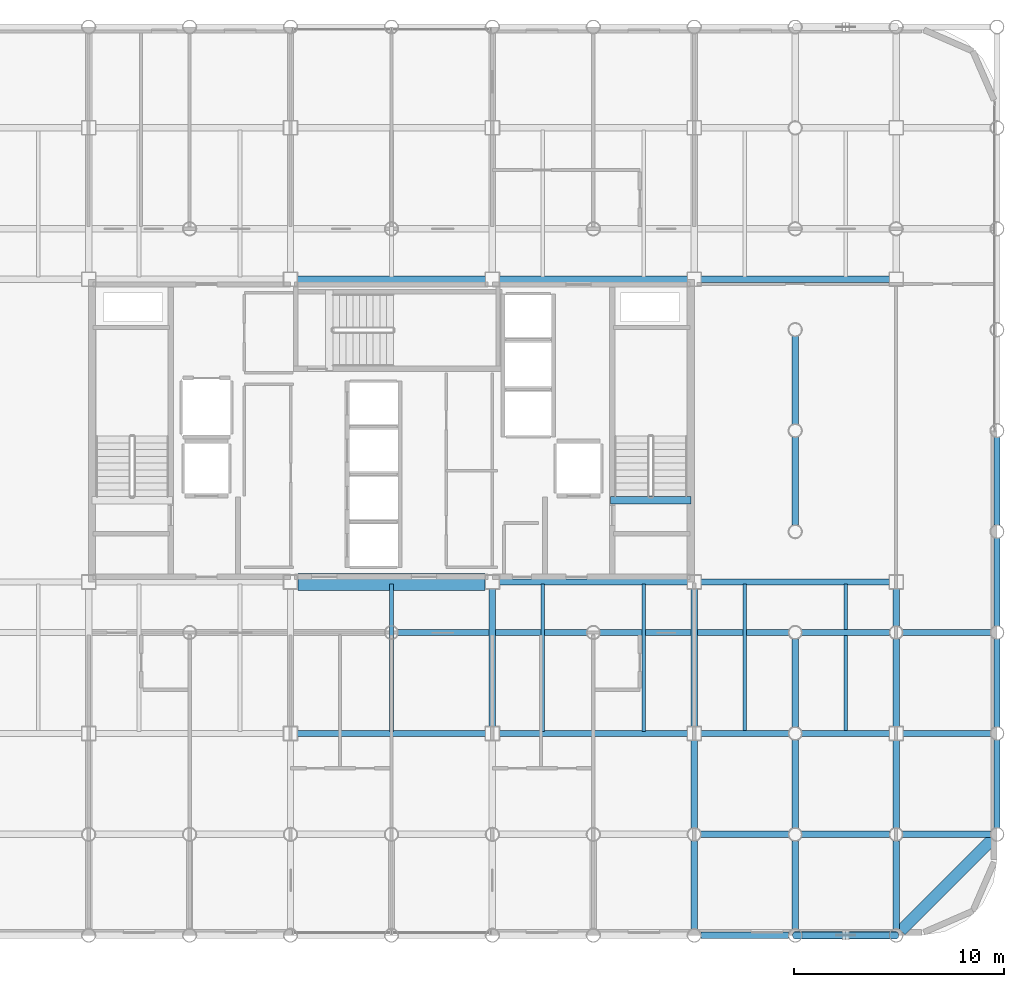
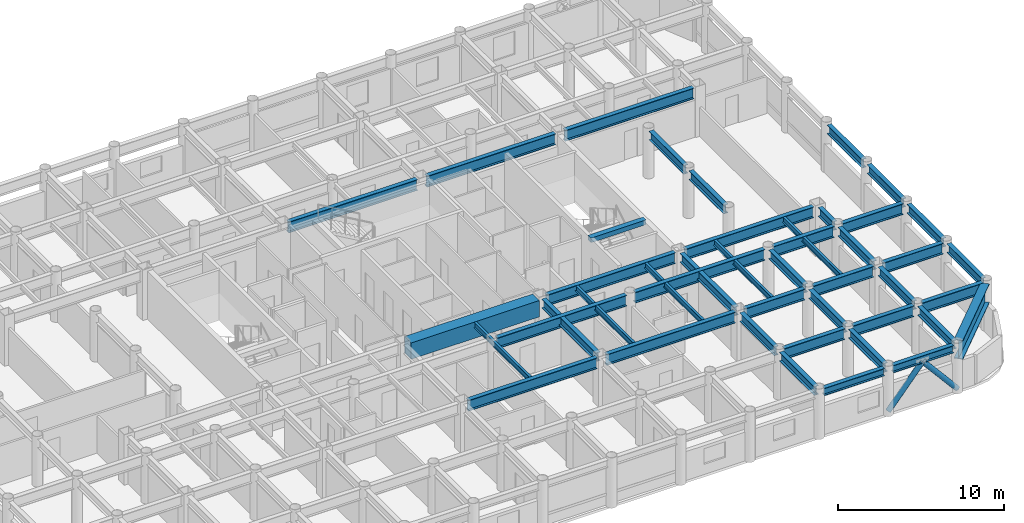
# One storey, part 7 of 20: 44 beams, 2 members.
"""IFC4 building model written with IfcOpenShell, lengths in metres."""

import ifcopenshell
import ifcopenshell.guid

model = None  # the IFC model being written
_history = None  # IfcOwnerHistory: only IFC2X3 demands one
_inside = {}  # id of a spatial element -> (the spatial element, [elements in it])
_under = {}  # id of a project, library or spatial element -> (it, [spatial elements below it])
_declared = {}  # id of a project -> (the project, [libraries it declares])
_typed = {}  # id of a type object -> (the type object, [elements of that type])
_made_of = {}  # id of a material, layer set ... -> (it, [elements and type objects made of it])


def new_model(schema):
    """Start an empty IFC model of exactly this schema.

    Asked for "IFC4X3", IfcOpenShell would pick the latest addendum, in which some entities
    have other attributes; the version numbers below select the first issue.
    IFC2X3 requires an IfcOwnerHistory on every rooted entity: one is made here for all.
    """
    global model, _history
    if schema == "IFC4X3":
        model = ifcopenshell.file(schema_version=(4, 3, 0, 0))
    else:
        model = ifcopenshell.file(schema=schema)
    _inside.clear()
    _under.clear()
    _declared.clear()
    _typed.clear()
    _made_of.clear()
    _history = None
    if model.schema == "IFC2X3":
        org = make("IfcOrganization", Name="unknown")
        user = make(
            "IfcPersonAndOrganization",
            ThePerson=make("IfcPerson", FamilyName="unknown"),
            TheOrganization=org,
        )
        app = make(
            "IfcApplication",
            ApplicationDeveloper=org,
            Version="unknown",
            ApplicationFullName="unknown",
            ApplicationIdentifier="unknown",
        )
        _history = make(
            "IfcOwnerHistory",
            OwningUser=user,
            OwningApplication=app,
            ChangeAction="ADDED",
            CreationDate=0,
        )
    return model


def make(cls, **values):
    """One entity of the class cls with the attributes given. An attribute that is None is left unset."""
    return model.create_entity(
        cls, **{name: value for name, value in values.items() if value is not None}
    )


def rooted(cls, **values):
    """An entity with a GlobalId (a new one), such as an element, a storey or a relation."""
    return make(cls, GlobalId=ifcopenshell.guid.new(), OwnerHistory=_history, **values)


def si_unit(unit_type, name, prefix=None):
    """IfcSIUnit, for example si_unit("LENGTHUNIT", "METRE", prefix="MILLI")."""
    return make("IfcSIUnit", UnitType=unit_type, Prefix=prefix, Name=name)


def assignment(units):
    """IfcUnitAssignment: the units of a project."""
    return None if units is None else make("IfcUnitAssignment", Units=units)


def point(xyz):
    """IfcCartesianPoint."""
    return None if xyz is None else make("IfcCartesianPoint", Coordinates=xyz)


def direction(xyz):
    """IfcDirection."""
    return None if xyz is None else make("IfcDirection", DirectionRatios=xyz)


def frame(location, z_axis=None, x_axis=None):
    """IfcAxis2Placement3D, a coordinate frame: its origin and axes. An axis left out is left unset."""
    return make(
        "IfcAxis2Placement3D",
        Location=point(location),
        Axis=direction(z_axis),
        RefDirection=direction(x_axis),
    )


def frame_2d(location, x_axis=None):
    """IfcAxis2Placement2D, a coordinate frame in the plane: its origin and x axis."""
    return make(
        "IfcAxis2Placement2D", Location=point(location), RefDirection=direction(x_axis)
    )


def origin():
    """The frame at (0, 0, 0) with its axes left unset."""
    return frame((0.0, 0.0, 0.0))


def origin_2d():
    """The frame at (0, 0) in the plane with its x axis left unset."""
    return frame_2d((0.0, 0.0))


def place(relative_to, where):
    """IfcLocalPlacement: puts the frame where relative to a parent placement (None: the world)."""
    return make(
        "IfcLocalPlacement", PlacementRelTo=relative_to, RelativePlacement=where
    )


def context(
    kind, dimensions, precision=None, world=None, true_north=None, identifier=None
):
    """IfcGeometricRepresentationContext, for example the 3D "Model" context."""
    return make(
        "IfcGeometricRepresentationContext",
        ContextIdentifier=identifier,
        ContextType=kind,
        CoordinateSpaceDimension=dimensions,
        Precision=precision,
        WorldCoordinateSystem=world,
        TrueNorth=true_north,
    )


def subcontext(parent, identifier, kind, view, scale=None):
    """IfcGeometricRepresentationSubContext, for example "Body" below "Model"."""
    return make(
        "IfcGeometricRepresentationSubContext",
        ContextIdentifier=identifier,
        ContextType=kind,
        ParentContext=parent,
        TargetScale=scale,
        TargetView=view,
    )


def project(units=None, contexts=None):
    """IfcProject with its units and contexts."""
    return rooted(
        "IfcProject",
        Name="project",
        RepresentationContexts=contexts,
        UnitsInContext=assignment(units),
    )


def spatial(cls, under=None, at=None, **own):
    """A site, building, storey or space (cls), placed at a placement, below another one or the project."""
    s = rooted(cls, ObjectPlacement=at, **own)
    if under is not None:
        _under.setdefault(under.id(), (under, []))[1].append(s)
    return s


def profile(cls, at=None, kind="AREA", **sizes):
    """A parametric profile (cls). Its sizes go by their IFC names, for example OverallWidth=200.0."""
    return make(cls, ProfileType=kind, Position=at, **sizes)


def rectangle(**sizes):
    """IfcRectangleProfileDef."""
    return profile("IfcRectangleProfileDef", **sizes)


def hollow_circle(**sizes):
    """IfcCircleHollowProfileDef."""
    return profile("IfcCircleHollowProfileDef", **sizes)


def i_section(**sizes):
    """IfcIShapeProfileDef."""
    return profile("IfcIShapeProfileDef", **sizes)


def extrude(swept, where, along, depth):
    """IfcExtrudedAreaSolid: the profile swept, set in the frame where, extruded along a direction by depth."""
    return make(
        "IfcExtrudedAreaSolid",
        SweptArea=swept,
        Position=where,
        ExtrudedDirection=direction(along),
        Depth=depth,
    )


def shape(context_of_items, identifier, shape_type, items):
    """IfcShapeRepresentation: the items that make up one representation, for example the "Body"."""
    return make(
        "IfcShapeRepresentation",
        ContextOfItems=context_of_items,
        RepresentationIdentifier=identifier,
        RepresentationType=shape_type,
        Items=items,
    )


def material(Name=None, Category=None):
    """IfcMaterial."""
    return make("IfcMaterial", Name=Name, Category=Category)


def material_profile(
    of_material, cross_section, Name=None, Category=None, Priority=None
):
    """IfcMaterialProfile: a cross section and its material."""
    return make(
        "IfcMaterialProfile",
        Name=Name,
        Material=of_material,
        Profile=cross_section,
        Priority=Priority,
        Category=Category,
    )


def profile_set(profiles, Name=None, composite=None):
    """IfcMaterialProfileSet."""
    return make(
        "IfcMaterialProfileSet",
        Name=Name,
        MaterialProfiles=profiles,
        CompositeProfile=composite,
    )


def made_of(thing, what):
    """Note that an element or type object is made of a material, layer set ...; save() writes the relation."""
    if what is not None:
        _made_of.setdefault(what.id(), (what, []))[1].append(thing)
    return thing


def type_object(cls, material=None, **own):
    """A type object (cls), such as IfcWallType, which elements share."""
    return made_of(rooted(cls, **own), material)


def element(
    cls,
    number,
    at=None,
    inside=None,
    cuts=None,
    type_object=None,
    material=None,
    context=None,
    identifier="Body",
    shape_type=None,
    held_by="IfcProductDefinitionShape",
    body=None,
    shapes=None,
    **own,
):
    """One element of the class cls, such as IfcWall. Its Tag is "e" and its number.

    at: its placement. inside: the storey or other place that contains it. cuts: it is an
    opening in that element (IfcRelVoidsElement). A single representation is given by context,
    identifier, shape_type and body (its items); several are given by shapes. held_by: the class
    of the entity that holds the representations. save() writes the other relations.
    """
    e = rooted(cls, Tag="e%d" % number, ObjectPlacement=at, **own)
    if body is not None:
        shapes = [shape(context, identifier, shape_type, body)]
    if shapes is not None:
        e.Representation = make(held_by, Representations=shapes)
    if inside is not None:
        _inside.setdefault(inside.id(), (inside, []))[1].append(e)
    if cuts is not None:
        rooted(
            "IfcRelVoidsElement", RelatingBuildingElement=cuts, RelatedOpeningElement=e
        )
    if type_object is not None:
        _typed.setdefault(type_object.id(), (type_object, []))[1].append(e)
    return made_of(e, material)


def aggregate(whole, parts):
    """IfcRelAggregates: a whole, such as a stair, and the parts it consists of."""
    return rooted("IfcRelAggregates", RelatingObject=whole, RelatedObjects=parts)


def save(model, path):
    """Write the relations noted so far, then the file.

    IfcRelAggregates (storeys below a building ...), IfcRelContainedInSpatialStructure (elements
    in a storey), IfcRelDefinesByType, IfcRelAssociatesMaterial and IfcRelDeclares: one each for
    every whole, place, type object, material and project.
    """
    for whole, parts in _under.values():
        aggregate(whole, parts)
    for where, things in _inside.values():
        rooted(
            "IfcRelContainedInSpatialStructure",
            RelatedElements=things,
            RelatingStructure=where,
        )
    for kind, things in _typed.values():
        rooted("IfcRelDefinesByType", RelatedObjects=things, RelatingType=kind)
    for what, things in _made_of.values():
        rooted("IfcRelAssociatesMaterial", RelatedObjects=things, RelatingMaterial=what)
    for by, libraries in _declared.values():
        rooted("IfcRelDeclares", RelatingContext=by, RelatedDefinitions=libraries)
    model.write(path)


model = new_model("IFC4")

# Units and contexts
model_context = context("Model", 3, precision=1e-05, world=origin(), true_north=direction((0.0, 1.0)))
body_context = subcontext(model_context, "Body", "Model", "MODEL_VIEW")
ifc_project = project(units=[si_unit("LENGTHUNIT", "METRE"), si_unit("AREAUNIT", "SQUARE_METRE"), si_unit("VOLUMEUNIT", "CUBIC_METRE"), si_unit("PLANEANGLEUNIT", "RADIAN"), si_unit("MASSUNIT", "GRAM", prefix="KILO")], contexts=[model_context])

# Site, building, storey
site_placement = place(None, origin())
site = spatial("IfcSite", under=ifc_project, at=site_placement, CompositionType="ELEMENT")
building_placement = place(site_placement, origin())
building = spatial("IfcBuilding", under=site, at=building_placement, Name="Kallvorn Hotel Tower", CompositionType="ELEMENT")
storey_placement = place(building_placement, frame((0.0, 0.0, 158.10009765625)))
storey = spatial("IfcBuildingStorey", under=building, at=storey_placement, Name="L39", CompositionType="ELEMENT", Elevation=158.10009765625)

# Beams
ifc_material_1 = material(Name="Structural steel S355JR", Category="steel")
ifc_material_profile_1 = material_profile(ifc_material_1, i_section(OverallWidth=0.300048828125, OverallDepth=0.550048828125, WebThickness=0.014892578125, FlangeThickness=0.029052734375, at=origin_2d()), Name="HE 550 B")
ifc_profile_set_1 = profile_set([ifc_material_profile_1], Name="Structural steel S355JR")
beam_type_1 = type_object("IfcBeamType", Name="BM_HE550B", PredefinedType="SPANDREL", material=ifc_profile_set_1)
for number, where, z_axis, x_axis, name in (
    (1, (14.719970703125, -24.0, 3.244873046875), (1.0, 0.0, 0.0), (0.0, 1.0, 0.0), "L40 Perimeter Spandrel 160"),
    (2, (19.52001953125, -24.0, 3.244873046875), (1.0, 0.0, 0.0), (0.0, 1.0, 0.0), "L40 Perimeter Spandrel 161"),
):
    element("IfcBeam", number, at=place(storey_placement, frame(where, z_axis=z_axis, x_axis=x_axis)), inside=storey, type_object=beam_type_1, Name=name, PredefinedType="SPANDREL", context=body_context, shape_type="SweptSolid", body=[
        extrude(i_section(OverallWidth=0.300048828125, OverallDepth=0.550048828125, WebThickness=0.014892578125, FlangeThickness=0.029052734375, at=origin_2d()), origin(), (0.0, 0.0, 1.0), 4.159912109375),
    ])
ifc_material_2 = material(Name="Structural steel S355JR", Category="steel")
ifc_material_profile_2 = material_profile(ifc_material_2, i_section(OverallWidth=0.300048828125, OverallDepth=0.64990234375, WebThickness=0.01611328125, FlangeThickness=0.031005859375, at=origin_2d()), Name="HE 650 B")
ifc_profile_set_2 = profile_set([ifc_material_profile_2], Name="Structural steel S355JR")
beam_type_2 = type_object("IfcBeamType", Name="BM_HE650B", PredefinedType="BEAM", material=ifc_profile_set_2)
beam_1_placement = place(storey_placement, frame((4.800048828125, -14.074951171875, 3.19482421875), z_axis=(0.0, 1.0, 0.0), x_axis=(-1.0, 0.0, 0.0)))
element("IfcBeam", 3, at=beam_1_placement, inside=storey, type_object=beam_type_2, Name="L40 Primary Y-Girder 116", PredefinedType="BEAM", context=body_context, shape_type="SweptSolid", body=[
    extrude(i_section(OverallWidth=0.300048828125, OverallDepth=0.64990234375, WebThickness=0.01611328125, FlangeThickness=0.031005859375, at=origin_2d()), origin(), (0.0, 0.0, 1.0), 6.550048828125),
])
beam_2_placement = place(storey_placement, frame((14.39990234375, -23.695068359375, 3.19482421875), z_axis=(0.0, 1.0, 0.0), x_axis=(-1.0, 0.0, 0.0)))
element("IfcBeam", 4, at=beam_2_placement, inside=storey, type_object=beam_type_2, Name="L40 Primary Y-Girder 122", PredefinedType="BEAM", context=body_context, shape_type="SweptSolid", body=[
    extrude(i_section(OverallWidth=0.300048828125, OverallDepth=0.64990234375, WebThickness=0.01611328125, FlangeThickness=0.031005859375, at=origin_2d()), origin(), (0.0, 0.0, 1.0), 4.190185546875),
])
beam_3_placement = place(storey_placement, frame((14.39990234375, -18.89501953125, 3.19482421875), z_axis=(0.0, 1.0, 0.0), x_axis=(-1.0, 0.0, 0.0)))
element("IfcBeam", 5, at=beam_3_placement, inside=storey, type_object=beam_type_2, Name="L40 Primary Y-Girder 123", PredefinedType="BEAM", context=body_context, shape_type="SweptSolid", body=[
    extrude(i_section(OverallWidth=0.300048828125, OverallDepth=0.64990234375, WebThickness=0.01611328125, FlangeThickness=0.031005859375, at=origin_2d()), origin(), (0.0, 0.0, 1.0), 4.169921875),
])
beam_4_placement = place(storey_placement, frame((14.39990234375, -14.074951171875, 3.19482421875), z_axis=(0.0, 1.0, 0.0), x_axis=(-1.0, 0.0, 0.0)))
element("IfcBeam", 6, at=beam_4_placement, inside=storey, type_object=beam_type_2, Name="L40 Primary Y-Girder 124", PredefinedType="BEAM", context=body_context, shape_type="SweptSolid", body=[
    extrude(i_section(OverallWidth=0.300048828125, OverallDepth=0.64990234375, WebThickness=0.01611328125, FlangeThickness=0.031005859375, at=origin_2d()), origin(), (0.0, 0.0, 1.0), 6.550048828125),
])
beam_5_placement = place(storey_placement, frame((19.199951171875, -23.695068359375, 3.19482421875), z_axis=(0.0, 1.0, 0.0), x_axis=(-1.0, 0.0, 0.0)))
element("IfcBeam", 7, at=beam_5_placement, inside=storey, type_object=beam_type_2, Name="L40 Primary Y-Girder 127", PredefinedType="BEAM", context=body_context, shape_type="SweptSolid", body=[
    extrude(i_section(OverallWidth=0.300048828125, OverallDepth=0.64990234375, WebThickness=0.01611328125, FlangeThickness=0.031005859375, at=origin_2d()), origin(), (0.0, 0.0, 1.0), 4.190185546875),
])
for number, where, z_axis, x_axis, name in (
    (8, (19.199951171875, -18.89501953125, 3.19482421875), (0.0, 1.0, 0.0), (-1.0, 0.0, 0.0), "L40 Primary Y-Girder 128"),
    (9, (19.199951171875, -14.094970703125, 3.19482421875), (0.0, 1.0, 0.0), (-1.0, 0.0, 0.0), "L40 Primary Y-Girder 129"),
):
    element("IfcBeam", number, at=place(storey_placement, frame(where, z_axis=z_axis, x_axis=x_axis)), inside=storey, type_object=beam_type_2, Name=name, PredefinedType="BEAM", context=body_context, shape_type="SweptSolid", body=[
        extrude(i_section(OverallWidth=0.300048828125, OverallDepth=0.64990234375, WebThickness=0.01611328125, FlangeThickness=0.031005859375, at=origin_2d()), origin(), (0.0, 0.0, 1.0), 4.18994140625),
    ])
for number, where, z_axis, x_axis, name in (
    (10, (19.199951171875, -4.4951171875, 3.19482421875), (0.0, 1.0, 0.0), (-1.0, 0.0, 0.0), "L40 Primary Y-Girder 131"),
    (11, (19.199951171875, 0.304931640625, 3.19482421875), (0.0, 1.0, 0.0), (-1.0, 0.0, 0.0), "L40 Primary Y-Girder 132"),
    (12, (24.0, -23.695068359375, 3.19482421875), (0.0, 1.0, 0.0), (-1.0, 0.0, 0.0), "L40 Primary Y-Girder 136"),
):
    element("IfcBeam", number, at=place(storey_placement, frame(where, z_axis=z_axis, x_axis=x_axis)), inside=storey, type_object=beam_type_2, Name=name, PredefinedType="BEAM", context=body_context, shape_type="SweptSolid", body=[
        extrude(i_section(OverallWidth=0.300048828125, OverallDepth=0.64990234375, WebThickness=0.01611328125, FlangeThickness=0.031005859375, at=origin_2d()), origin(), (0.0, 0.0, 1.0), 4.190185546875),
    ])
for number, where, z_axis, x_axis, name in (
    (13, (24.0, -18.89501953125, 3.19482421875), (0.0, 1.0, 0.0), (-1.0, 0.0, 0.0), "L40 Primary Y-Girder 137"),
    (14, (24.0, -14.074951171875, 3.19482421875), (0.0, 1.0, 0.0), (-1.0, 0.0, 0.0), "L40 Primary Y-Girder 138"),
):
    element("IfcBeam", number, at=place(storey_placement, frame(where, z_axis=z_axis, x_axis=x_axis)), inside=storey, type_object=beam_type_2, Name=name, PredefinedType="BEAM", context=body_context, shape_type="SweptSolid", body=[
        extrude(i_section(OverallWidth=0.300048828125, OverallDepth=0.64990234375, WebThickness=0.01611328125, FlangeThickness=0.031005859375, at=origin_2d()), origin(), (0.0, 0.0, 1.0), 4.169921875),
    ])
beam_6_placement = place(storey_placement, frame((24.0, -9.294921875, 3.19482421875), z_axis=(0.0, 1.0, 0.0), x_axis=(-1.0, 0.0, 0.0)))
element("IfcBeam", 15, at=beam_6_placement, inside=storey, type_object=beam_type_2, Name="L40 Primary Y-Girder 139", PredefinedType="BEAM", context=body_context, shape_type="SweptSolid", body=[
    extrude(i_section(OverallWidth=0.300048828125, OverallDepth=0.64990234375, WebThickness=0.01611328125, FlangeThickness=0.031005859375, at=origin_2d()), origin(), (0.0, 0.0, 1.0), 1.77001953125),
])
for number, where, z_axis, x_axis, name in (
    (16, (28.800048828125, -18.89501953125, 3.19482421875), (0.0, 1.0, 0.0), (-1.0, 0.0, 0.0), "L40 Primary Y-Girder 143"),
    (17, (28.800048828125, -14.094970703125, 3.19482421875), (0.0, 1.0, 0.0), (-1.0, 0.0, 0.0), "L40 Primary Y-Girder 144"),
    (18, (28.800048828125, -9.294921875, 3.19482421875), (0.0, 1.0, 0.0), (-1.0, 0.0, 0.0), "L40 Primary Y-Girder 145"),
):
    element("IfcBeam", number, at=place(storey_placement, frame(where, z_axis=z_axis, x_axis=x_axis)), inside=storey, type_object=beam_type_2, Name=name, PredefinedType="BEAM", context=body_context, shape_type="SweptSolid", body=[
        extrude(i_section(OverallWidth=0.300048828125, OverallDepth=0.64990234375, WebThickness=0.01611328125, FlangeThickness=0.031005859375, at=origin_2d()), origin(), (0.0, 0.0, 1.0), 4.18994140625),
    ])
beam_7_placement = place(storey_placement, frame((28.800048828125, -4.4951171875, 3.19482421875), z_axis=(0.0, 1.0, 0.0), x_axis=(-1.0, 0.0, 0.0)))
element("IfcBeam", 19, at=beam_7_placement, inside=storey, type_object=beam_type_2, Name="L40 Primary Y-Girder 146", PredefinedType="BEAM", context=body_context, shape_type="SweptSolid", body=[
    extrude(i_section(OverallWidth=0.300048828125, OverallDepth=0.64990234375, WebThickness=0.01611328125, FlangeThickness=0.031005859375, at=origin_2d()), origin(), (0.0, 0.0, 1.0), 4.190185546875),
])
ifc_material_3 = material(Name="Structural steel S355JR", Category="steel")
ifc_material_profile_3 = material_profile(ifc_material_3, i_section(OverallWidth=0.300048828125, OverallDepth=0.800048828125, WebThickness=0.017578125, FlangeThickness=0.032958984375, at=origin_2d()), Name="HE 800 B")
ifc_profile_set_3 = profile_set([ifc_material_profile_3], Name="Structural steel S355JR")
beam_type_3 = type_object("IfcBeamType", Name="BM_HE800B", PredefinedType="BEAM", material=ifc_profile_set_3)
beam_8_placement = place(storey_placement, frame((14.705078125, -19.199951171875, 3.119873046875), z_axis=(1.0, 0.0, 0.0), x_axis=(0.0, 1.0, 0.0)))
element("IfcBeam", 20, at=beam_8_placement, inside=storey, type_object=beam_type_3, Name="L40 Primary X-Girder 11", PredefinedType="BEAM", context=body_context, shape_type="SweptSolid", body=[
    extrude(i_section(OverallWidth=0.300048828125, OverallDepth=0.800048828125, WebThickness=0.017578125, FlangeThickness=0.032958984375, at=origin_2d()), origin(), (0.0, 0.0, 1.0), 4.18994140625),
])
for number, where, z_axis, x_axis, name in (
    (21, (19.5048828125, -19.199951171875, 3.119873046875), (1.0, 0.0, 0.0), (0.0, 1.0, 0.0), "L40 Primary X-Girder 12"),
    (22, (24.304931640625, -19.199951171875, 3.119873046875), (1.0, 0.0, 0.0), (0.0, 1.0, 0.0), "L40 Primary X-Girder 13"),
):
    element("IfcBeam", number, at=place(storey_placement, frame(where, z_axis=z_axis, x_axis=x_axis)), inside=storey, type_object=beam_type_3, Name=name, PredefinedType="BEAM", context=body_context, shape_type="SweptSolid", body=[
        extrude(i_section(OverallWidth=0.300048828125, OverallDepth=0.800048828125, WebThickness=0.017578125, FlangeThickness=0.032958984375, at=origin_2d()), origin(), (0.0, 0.0, 1.0), 4.190185546875),
    ])
beam_9_placement = place(storey_placement, frame((-4.47509765625, -14.39990234375, 3.119873046875), z_axis=(1.0, 0.0, 0.0), x_axis=(0.0, 1.0, 0.0)))
element("IfcBeam", 23, at=beam_9_placement, inside=storey, type_object=beam_type_3, Name="L40 Primary X-Girder 19", PredefinedType="BEAM", context=body_context, shape_type="SweptSolid", body=[
    extrude(i_section(OverallWidth=0.300048828125, OverallDepth=0.800048828125, WebThickness=0.017578125, FlangeThickness=0.032958984375, at=origin_2d()), origin(), (0.0, 0.0, 1.0), 8.9501953125),
])
beam_10_placement = place(storey_placement, frame((5.125, -14.39990234375, 3.119873046875), z_axis=(1.0, 0.0, 0.0), x_axis=(0.0, 1.0, 0.0)))
element("IfcBeam", 24, at=beam_10_placement, inside=storey, type_object=beam_type_3, Name="L40 Primary X-Girder 20", PredefinedType="BEAM", context=body_context, shape_type="SweptSolid", body=[
    extrude(i_section(OverallWidth=0.300048828125, OverallDepth=0.800048828125, WebThickness=0.017578125, FlangeThickness=0.032958984375, at=origin_2d()), origin(), (0.0, 0.0, 1.0), 8.949951171875),
])
beam_11_placement = place(storey_placement, frame((14.72509765625, -14.39990234375, 3.119873046875), z_axis=(1.0, 0.0, 0.0), x_axis=(0.0, 1.0, 0.0)))
element("IfcBeam", 25, at=beam_11_placement, inside=storey, type_object=beam_type_3, Name="L40 Primary X-Girder 21", PredefinedType="BEAM", context=body_context, shape_type="SweptSolid", body=[
    extrude(i_section(OverallWidth=0.300048828125, OverallDepth=0.800048828125, WebThickness=0.017578125, FlangeThickness=0.032958984375, at=origin_2d()), origin(), (0.0, 0.0, 1.0), 4.169921875),
])
for number, where, z_axis, x_axis, name in (
    (26, (19.5048828125, -14.39990234375, 3.119873046875), (1.0, 0.0, 0.0), (0.0, 1.0, 0.0), "L40 Primary X-Girder 22"),
    (27, (24.324951171875, -14.39990234375, 3.119873046875), (1.0, 0.0, 0.0), (0.0, 1.0, 0.0), "L40 Primary X-Girder 23"),
):
    element("IfcBeam", number, at=place(storey_placement, frame(where, z_axis=z_axis, x_axis=x_axis)), inside=storey, type_object=beam_type_3, Name=name, PredefinedType="BEAM", context=body_context, shape_type="SweptSolid", body=[
        extrude(i_section(OverallWidth=0.300048828125, OverallDepth=0.800048828125, WebThickness=0.017578125, FlangeThickness=0.032958984375, at=origin_2d()), origin(), (0.0, 0.0, 1.0), 4.170166015625),
    ])
for number, where, z_axis, x_axis, name in (
    (28, (0.304931640625, -9.60009765625, 3.119873046875), (1.0, 0.0, 0.0), (0.0, 1.0, 0.0), "L40 Primary X-Girder 29"),
    (29, (9.905029296875, -9.60009765625, 3.119873046875), (1.0, 0.0, 0.0), (0.0, 1.0, 0.0), "L40 Primary X-Girder 30"),
):
    element("IfcBeam", number, at=place(storey_placement, frame(where, z_axis=z_axis, x_axis=x_axis)), inside=storey, type_object=beam_type_3, Name=name, PredefinedType="BEAM", context=body_context, shape_type="SweptSolid", body=[
        extrude(i_section(OverallWidth=0.300048828125, OverallDepth=0.800048828125, WebThickness=0.017578125, FlangeThickness=0.032958984375, at=origin_2d()), origin(), (0.0, 0.0, 1.0), 8.989990234375),
    ])
for number, where, z_axis, x_axis, name in (
    (30, (19.5048828125, -9.60009765625, 3.119873046875), (1.0, 0.0, 0.0), (0.0, 1.0, 0.0), "L40 Primary X-Girder 31"),
    (31, (24.304931640625, -9.60009765625, 3.119873046875), (1.0, 0.0, 0.0), (0.0, 1.0, 0.0), "L40 Primary X-Girder 32"),
):
    element("IfcBeam", number, at=place(storey_placement, frame(where, z_axis=z_axis, x_axis=x_axis)), inside=storey, type_object=beam_type_3, Name=name, PredefinedType="BEAM", context=body_context, shape_type="SweptSolid", body=[
        extrude(i_section(OverallWidth=0.300048828125, OverallDepth=0.800048828125, WebThickness=0.017578125, FlangeThickness=0.032958984375, at=origin_2d()), origin(), (0.0, 0.0, 1.0), 4.190185546875),
    ])
for number, where, z_axis, x_axis, name in (
    (32, (5.125, -7.199951171875, 3.119873046875), (1.0, 0.0, 0.0), (0.0, 1.0, 0.0), "L40 Primary X-Girder 35"),
    (33, (14.72509765625, -7.199951171875, 3.119873046875), (1.0, 0.0, 0.0), (0.0, 1.0, 0.0), "L40 Primary X-Girder 36"),
):
    element("IfcBeam", number, at=place(storey_placement, frame(where, z_axis=z_axis, x_axis=x_axis)), inside=storey, type_object=beam_type_3, Name=name, PredefinedType="BEAM", context=body_context, shape_type="SweptSolid", body=[
        extrude(i_section(OverallWidth=0.300048828125, OverallDepth=0.800048828125, WebThickness=0.017578125, FlangeThickness=0.032958984375, at=origin_2d()), origin(), (0.0, 0.0, 1.0), 8.949951171875),
    ])
beam_12_placement = place(storey_placement, frame((-4.47509765625, 7.199951171875, 3.119873046875), z_axis=(1.0, 0.0, 0.0), x_axis=(0.0, 1.0, 0.0)))
element("IfcBeam", 34, at=beam_12_placement, inside=storey, type_object=beam_type_3, Name="L40 Primary X-Girder 39", PredefinedType="BEAM", context=body_context, shape_type="SweptSolid", body=[
    extrude(i_section(OverallWidth=0.300048828125, OverallDepth=0.800048828125, WebThickness=0.017578125, FlangeThickness=0.032958984375, at=origin_2d()), origin(), (0.0, 0.0, 1.0), 8.9501953125),
])
for number, where, z_axis, x_axis, name in (
    (35, (5.125, 7.199951171875, 3.119873046875), (1.0, 0.0, 0.0), (0.0, 1.0, 0.0), "L40 Primary X-Girder 40"),
    (36, (14.72509765625, 7.199951171875, 3.119873046875), (1.0, 0.0, 0.0), (0.0, 1.0, 0.0), "L40 Primary X-Girder 41"),
):
    element("IfcBeam", number, at=place(storey_placement, frame(where, z_axis=z_axis, x_axis=x_axis)), inside=storey, type_object=beam_type_3, Name=name, PredefinedType="BEAM", context=body_context, shape_type="SweptSolid", body=[
        extrude(i_section(OverallWidth=0.300048828125, OverallDepth=0.800048828125, WebThickness=0.017578125, FlangeThickness=0.032958984375, at=origin_2d()), origin(), (0.0, 0.0, 1.0), 8.949951171875),
    ])
ifc_material_4 = material(Name="Structural steel S355JR", Category="steel")
ifc_material_profile_4 = material_profile(ifc_material_4, i_section(OverallWidth=0.179931640625, OverallDepth=0.39990234375, WebThickness=0.008544921875, FlangeThickness=0.013427734375, at=origin_2d()), Name="IPE 400")
ifc_profile_set_4 = profile_set([ifc_material_profile_4], Name="Structural steel S355JR")
beam_type_4 = type_object("IfcBeamType", Name="BM_IPE400", PredefinedType="JOIST", material=ifc_profile_set_4)
for number, where, z_axis, x_axis, name in (
    (37, (0.0, -14.300048828125, 3.31982421875), (0.0, 1.0, 0.0), (-1.0, 0.0, 0.0), "L40 Secondary Composite Joist 200"),
    (38, (7.199951171875, -14.300048828125, 3.31982421875), (0.0, 1.0, 0.0), (-1.0, 0.0, 0.0), "L40 Secondary Composite Joist 202"),
    (39, (12.0, -14.300048828125, 3.31982421875), (0.0, 1.0, 0.0), (-1.0, 0.0, 0.0), "L40 Secondary Composite Joist 204"),
    (40, (16.800048828125, -14.300048828125, 3.31982421875), (0.0, 1.0, 0.0), (-1.0, 0.0, 0.0), "L40 Secondary Composite Joist 206"),
    (41, (21.60009765625, -14.300048828125, 3.31982421875), (0.0, 1.0, 0.0), (-1.0, 0.0, 0.0), "L40 Secondary Composite Joist 208"),
):
    element("IfcBeam", number, at=place(storey_placement, frame(where, z_axis=z_axis, x_axis=x_axis)), inside=storey, type_object=beam_type_4, Name=name, PredefinedType="JOIST", context=body_context, shape_type="SweptSolid", body=[
        extrude(i_section(OverallWidth=0.179931640625, OverallDepth=0.39990234375, WebThickness=0.008544921875, FlangeThickness=0.013427734375, at=origin_2d()), origin(), (0.0, 0.0, 1.0), 7.0),
    ])
ifc_material_5 = material(Name="Structural steel S355JR", Category="steel")
ifc_material_profile_5 = material_profile(ifc_material_5, i_section(OverallWidth=0.550048828125, OverallDepth=1.39990234375, WebThickness=0.02490234375, FlangeThickness=0.044921875, at=origin_2d()), Name="PG 1400x550x25x45")
ifc_profile_set_5 = profile_set([ifc_material_profile_5], Name="Structural steel S355JR")
beam_type_5 = type_object("IfcBeamType", Name="BM_PG_1400", PredefinedType="BEAM", material=ifc_profile_set_5)
beam_13_placement = place(storey_placement, frame((28.57373046875, -19.42626953125, 2.81982421875), z_axis=(-0.707106781187, -0.707106781187, 0.0), x_axis=(0.707106781187, -0.707106781187, 0.0)))
element("IfcBeam", 42, at=beam_13_placement, inside=storey, type_object=beam_type_5, Name="L40 Rounded Corner Tie Beam 191", PredefinedType="BEAM", context=body_context, shape_type="SweptSolid", body=[
    extrude(i_section(OverallWidth=0.550048828125, OverallDepth=1.39990234375, WebThickness=0.02490234375, FlangeThickness=0.044921875, at=origin_2d()), origin(), (0.0, 0.0, 1.0), 6.148193359375),
])
ifc_material_6 = material(Name="Concrete C50/60", Category="concrete")
ifc_material_profile_6 = material_profile(ifc_material_6, rectangle(XDim=0.360107421875, YDim=0.340087890625, at=origin_2d()), Name="RC 360x340")
ifc_profile_set_6 = profile_set([ifc_material_profile_6], Name="Concrete C50/60")
beam_type_6 = type_object("IfcBeamType", Name="BM_RC_400x360", PredefinedType="BEAM", material=ifc_profile_set_6)
beam_14_placement = place(storey_placement, frame((14.239990234375, -3.31005859375, 3.349853515625), z_axis=(-1.0, 0.0, 0.0), x_axis=(0.0, -1.0, 0.0)))
element("IfcBeam", 43, at=beam_14_placement, inside=storey, type_object=beam_type_6, Name="L40 Stair ST2 Arrival Trimmer Beam", PredefinedType="BEAM", context=body_context, shape_type="SweptSolid", body=[
    extrude(rectangle(XDim=0.360107421875, YDim=0.340087890625, at=origin_2d()), origin(), (0.0, 0.0, 1.0), 3.820068359375),
])
ifc_material_7 = material(Name="Concrete C50/60", Category="concrete")
ifc_material_profile_7 = material_profile(ifc_material_7, rectangle(XDim=0.800048828125, YDim=1.199951171875, at=origin_2d()), Name="RC 800x1200")
ifc_profile_set_7 = profile_set([ifc_material_profile_7], Name="Concrete C50/60")
beam_type_7 = type_object("IfcBeamType", Name="BM_RC_800x1200", PredefinedType="T_BEAM", material=ifc_profile_set_7)
beam_15_placement = place(storey_placement, frame((-4.449951171875, -7.199951171875, 2.919921875), z_axis=(1.0, 0.0, 0.0), x_axis=(0.0, 1.0, 0.0)))
element("IfcBeam", 44, at=beam_15_placement, inside=storey, type_object=beam_type_7, Name="L39 Core Coupling Beam South", PredefinedType="T_BEAM", context=body_context, shape_type="SweptSolid", body=[
    extrude(rectangle(XDim=0.800048828125, YDim=1.199951171875, at=origin_2d()), origin(), (0.0, 0.0, 1.0), 8.89990234375),
])

# Members
ifc_material_8 = material(Name="Structural steel S355J2H", Category="steel")
ifc_material_profile_8 = material_profile(ifc_material_8, hollow_circle(Radius=0.177734375, WallThickness=0.01416015625, at=origin_2d()), Name="CHS 355.6x14.2")
ifc_profile_set_8 = profile_set([ifc_material_profile_8], Name="Structural steel S355J2H")
member_type = type_object("IfcMemberType", Name="MBR_EXO_CHS355", PredefinedType="BRACE", material=ifc_profile_set_8)
for number, where, z_axis, x_axis, name in (
    (45, (19.212890625, -24.0, 0.1953125), (0.646833296797, 0.0, 0.762631422218), (0.0, 1.0, 0.0), "L39 Exoskeleton K-Brace S2A"),
    (46, (23.987060546875, -24.0, 0.1953125), (-0.646833296797, 0.0, 0.762631422218), (0.0, -1.0, 0.0), "L39 Exoskeleton K-Brace S2B"),
):
    element("IfcMember", number, at=place(storey_placement, frame(where, z_axis=z_axis, x_axis=x_axis)), inside=storey, type_object=member_type, Name=name, PredefinedType="BRACE", context=body_context, shape_type="SweptSolid", body=[
        extrude(hollow_circle(Radius=0.177734375, WallThickness=0.01416015625, at=origin_2d()), origin(), (0.0, 0.0, 1.0), 3.670654296875),
    ])

save(model, "model.ifc")
